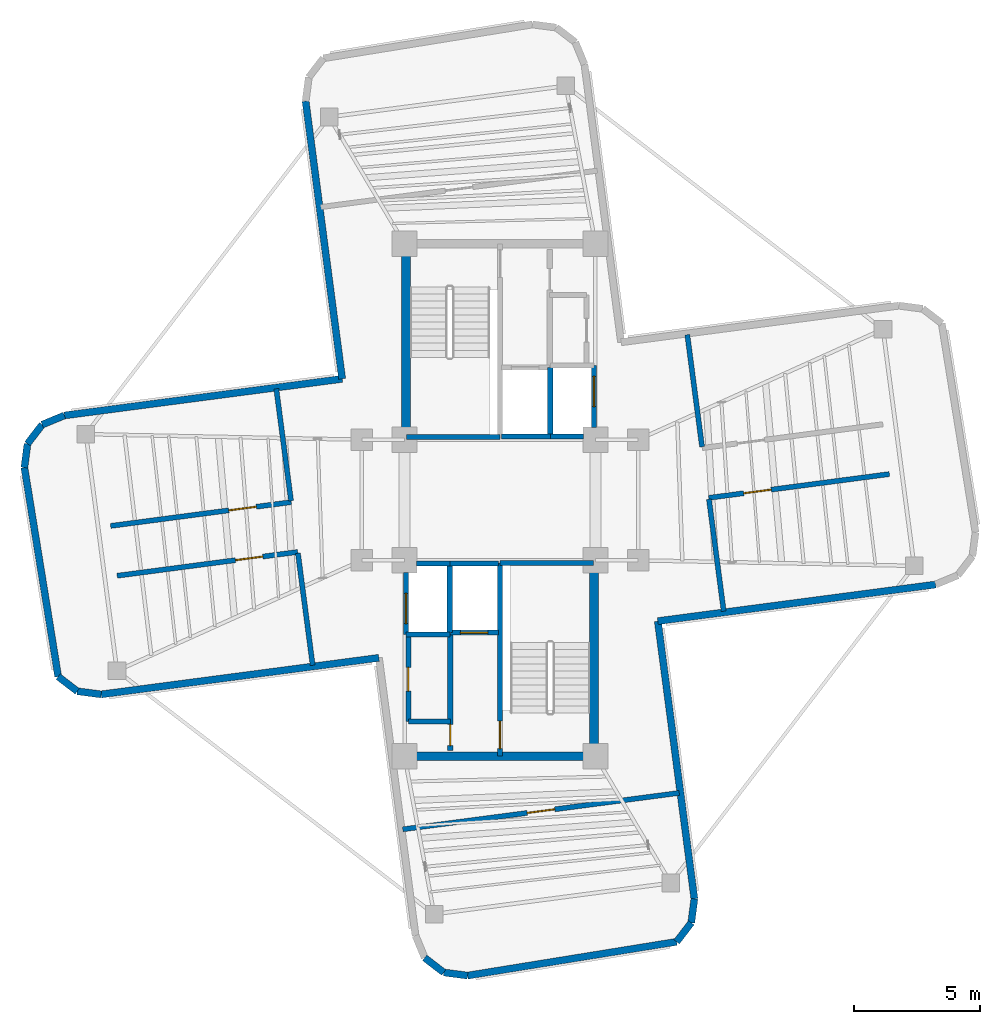
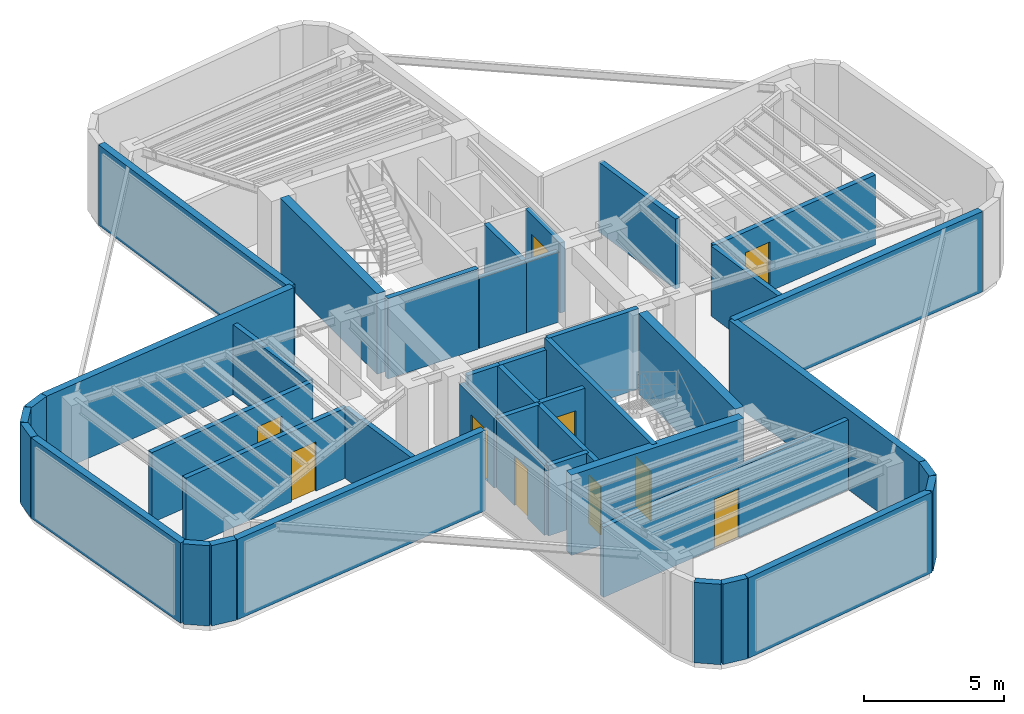
# One storey, part 4 of 6: 43 walls, 10 doors, 10 openings.
"""IFC4 building model written with IfcOpenShell, lengths in metres."""

import ifcopenshell
import ifcopenshell.guid

model = None  # the IFC model being written
_history = None  # IfcOwnerHistory: only IFC2X3 demands one
_inside = {}  # id of a spatial element -> (the spatial element, [elements in it])
_under = {}  # id of a project, library or spatial element -> (it, [spatial elements below it])
_declared = {}  # id of a project -> (the project, [libraries it declares])
_typed = {}  # id of a type object -> (the type object, [elements of that type])
_made_of = {}  # id of a material, layer set ... -> (it, [elements and type objects made of it])


def new_model(schema):
    """Start an empty IFC model of exactly this schema.

    Asked for "IFC4X3", IfcOpenShell would pick the latest addendum, in which some entities
    have other attributes; the version numbers below select the first issue.
    IFC2X3 requires an IfcOwnerHistory on every rooted entity: one is made here for all.
    """
    global model, _history
    if schema == "IFC4X3":
        model = ifcopenshell.file(schema_version=(4, 3, 0, 0))
    else:
        model = ifcopenshell.file(schema=schema)
    _inside.clear()
    _under.clear()
    _declared.clear()
    _typed.clear()
    _made_of.clear()
    _history = None
    if model.schema == "IFC2X3":
        org = make("IfcOrganization", Name="unknown")
        user = make(
            "IfcPersonAndOrganization",
            ThePerson=make("IfcPerson", FamilyName="unknown"),
            TheOrganization=org,
        )
        app = make(
            "IfcApplication",
            ApplicationDeveloper=org,
            Version="unknown",
            ApplicationFullName="unknown",
            ApplicationIdentifier="unknown",
        )
        _history = make(
            "IfcOwnerHistory",
            OwningUser=user,
            OwningApplication=app,
            ChangeAction="ADDED",
            CreationDate=0,
        )
    return model


def make(cls, **values):
    """One entity of the class cls with the attributes given. An attribute that is None is left unset."""
    return model.create_entity(
        cls, **{name: value for name, value in values.items() if value is not None}
    )


def rooted(cls, **values):
    """An entity with a GlobalId (a new one), such as an element, a storey or a relation."""
    return make(cls, GlobalId=ifcopenshell.guid.new(), OwnerHistory=_history, **values)


def si_unit(unit_type, name, prefix=None):
    """IfcSIUnit, for example si_unit("LENGTHUNIT", "METRE", prefix="MILLI")."""
    return make("IfcSIUnit", UnitType=unit_type, Prefix=prefix, Name=name)


def assignment(units):
    """IfcUnitAssignment: the units of a project."""
    return None if units is None else make("IfcUnitAssignment", Units=units)


def point(xyz):
    """IfcCartesianPoint."""
    return None if xyz is None else make("IfcCartesianPoint", Coordinates=xyz)


def direction(xyz):
    """IfcDirection."""
    return None if xyz is None else make("IfcDirection", DirectionRatios=xyz)


def frame(location, z_axis=None, x_axis=None):
    """IfcAxis2Placement3D, a coordinate frame: its origin and axes. An axis left out is left unset."""
    return make(
        "IfcAxis2Placement3D",
        Location=point(location),
        Axis=direction(z_axis),
        RefDirection=direction(x_axis),
    )


def frame_2d(location, x_axis=None):
    """IfcAxis2Placement2D, a coordinate frame in the plane: its origin and x axis."""
    return make(
        "IfcAxis2Placement2D", Location=point(location), RefDirection=direction(x_axis)
    )


def origin():
    """The frame at (0, 0, 0) with its axes left unset."""
    return frame((0.0, 0.0, 0.0))


def origin_2d():
    """The frame at (0, 0) in the plane with its x axis left unset."""
    return frame_2d((0.0, 0.0))


def place(relative_to, where):
    """IfcLocalPlacement: puts the frame where relative to a parent placement (None: the world)."""
    return make(
        "IfcLocalPlacement", PlacementRelTo=relative_to, RelativePlacement=where
    )


def context(
    kind, dimensions, precision=None, world=None, true_north=None, identifier=None
):
    """IfcGeometricRepresentationContext, for example the 3D "Model" context."""
    return make(
        "IfcGeometricRepresentationContext",
        ContextIdentifier=identifier,
        ContextType=kind,
        CoordinateSpaceDimension=dimensions,
        Precision=precision,
        WorldCoordinateSystem=world,
        TrueNorth=true_north,
    )


def subcontext(parent, identifier, kind, view, scale=None):
    """IfcGeometricRepresentationSubContext, for example "Body" below "Model"."""
    return make(
        "IfcGeometricRepresentationSubContext",
        ContextIdentifier=identifier,
        ContextType=kind,
        ParentContext=parent,
        TargetScale=scale,
        TargetView=view,
    )


def project(units=None, contexts=None):
    """IfcProject with its units and contexts."""
    return rooted(
        "IfcProject",
        Name="project",
        RepresentationContexts=contexts,
        UnitsInContext=assignment(units),
    )


def spatial(cls, under=None, at=None, **own):
    """A site, building, storey or space (cls), placed at a placement, below another one or the project."""
    s = rooted(cls, ObjectPlacement=at, **own)
    if under is not None:
        _under.setdefault(under.id(), (under, []))[1].append(s)
    return s


def profile(cls, at=None, kind="AREA", **sizes):
    """A parametric profile (cls). Its sizes go by their IFC names, for example OverallWidth=200.0."""
    return make(cls, ProfileType=kind, Position=at, **sizes)


def rectangle(**sizes):
    """IfcRectangleProfileDef."""
    return profile("IfcRectangleProfileDef", **sizes)


def extrude(swept, where, along, depth):
    """IfcExtrudedAreaSolid: the profile swept, set in the frame where, extruded along a direction by depth."""
    return make(
        "IfcExtrudedAreaSolid",
        SweptArea=swept,
        Position=where,
        ExtrudedDirection=direction(along),
        Depth=depth,
    )


def shape(context_of_items, identifier, shape_type, items):
    """IfcShapeRepresentation: the items that make up one representation, for example the "Body"."""
    return make(
        "IfcShapeRepresentation",
        ContextOfItems=context_of_items,
        RepresentationIdentifier=identifier,
        RepresentationType=shape_type,
        Items=items,
    )


def source(mapping_origin, context_of_items, identifier, shape_type, items):
    """IfcRepresentationMap: a shape defined once, which mapped items show again and again."""
    return make(
        "IfcRepresentationMap",
        MappingOrigin=mapping_origin,
        MappedRepresentation=shape(context_of_items, identifier, shape_type, items),
    )


def transform(
    local_origin,
    x_axis=None,
    y_axis=None,
    z_axis=None,
    scale=None,
    scale2=None,
    scale3=None,
    uniform=True,
):
    """IfcCartesianTransformationOperator3D, or its non-uniform kind. x_axis, y_axis, z_axis: its Axis1, 2, 3."""
    if uniform:
        return make(
            "IfcCartesianTransformationOperator3D",
            Axis1=direction(x_axis),
            Axis2=direction(y_axis),
            LocalOrigin=point(local_origin),
            Scale=scale,
            Axis3=direction(z_axis),
        )
    return make(
        "IfcCartesianTransformationOperator3DnonUniform",
        Axis1=direction(x_axis),
        Axis2=direction(y_axis),
        LocalOrigin=point(local_origin),
        Scale=scale,
        Axis3=direction(z_axis),
        Scale2=scale2,
        Scale3=scale3,
    )


def mapped(mapping_source, mapping_target):
    """IfcMappedItem: shows the shape of a source again, moved by a transform."""
    return make(
        "IfcMappedItem", MappingSource=mapping_source, MappingTarget=mapping_target
    )


def material(Name=None, Category=None):
    """IfcMaterial."""
    return make("IfcMaterial", Name=Name, Category=Category)


def layer(
    of_material, thickness, ventilated=None, Name=None, Category=None, Priority=None
):
    """IfcMaterialLayer: one layer of a wall or slab, of a material (None: an air gap)."""
    return make(
        "IfcMaterialLayer",
        Material=of_material,
        LayerThickness=thickness,
        IsVentilated=ventilated,
        Name=Name,
        Category=Category,
        Priority=Priority,
    )


def layer_set(layers, Name=None):
    """IfcMaterialLayerSet."""
    return make("IfcMaterialLayerSet", MaterialLayers=layers, LayerSetName=Name)


def made_of(thing, what):
    """Note that an element or type object is made of a material, layer set ...; save() writes the relation."""
    if what is not None:
        _made_of.setdefault(what.id(), (what, []))[1].append(thing)
    return thing


def type_object(cls, material=None, **own):
    """A type object (cls), such as IfcWallType, which elements share."""
    return made_of(rooted(cls, **own), material)


def element(
    cls,
    number,
    at=None,
    inside=None,
    cuts=None,
    type_object=None,
    material=None,
    context=None,
    identifier="Body",
    shape_type=None,
    held_by="IfcProductDefinitionShape",
    body=None,
    shapes=None,
    **own,
):
    """One element of the class cls, such as IfcWall. Its Tag is "e" and its number.

    at: its placement. inside: the storey or other place that contains it. cuts: it is an
    opening in that element (IfcRelVoidsElement). A single representation is given by context,
    identifier, shape_type and body (its items); several are given by shapes. held_by: the class
    of the entity that holds the representations. save() writes the other relations.
    """
    e = rooted(cls, Tag="e%d" % number, ObjectPlacement=at, **own)
    if body is not None:
        shapes = [shape(context, identifier, shape_type, body)]
    if shapes is not None:
        e.Representation = make(held_by, Representations=shapes)
    if inside is not None:
        _inside.setdefault(inside.id(), (inside, []))[1].append(e)
    if cuts is not None:
        rooted(
            "IfcRelVoidsElement", RelatingBuildingElement=cuts, RelatedOpeningElement=e
        )
    if type_object is not None:
        _typed.setdefault(type_object.id(), (type_object, []))[1].append(e)
    return made_of(e, material)


def fill(opening, filler):
    """IfcRelFillsElement: the door or window that sits in an opening."""
    return rooted(
        "IfcRelFillsElement",
        RelatingOpeningElement=opening,
        RelatedBuildingElement=filler,
    )


def aggregate(whole, parts):
    """IfcRelAggregates: a whole, such as a stair, and the parts it consists of."""
    return rooted("IfcRelAggregates", RelatingObject=whole, RelatedObjects=parts)


def save(model, path):
    """Write the relations noted so far, then the file.

    IfcRelAggregates (storeys below a building ...), IfcRelContainedInSpatialStructure (elements
    in a storey), IfcRelDefinesByType, IfcRelAssociatesMaterial and IfcRelDeclares: one each for
    every whole, place, type object, material and project.
    """
    for whole, parts in _under.values():
        aggregate(whole, parts)
    for where, things in _inside.values():
        rooted(
            "IfcRelContainedInSpatialStructure",
            RelatedElements=things,
            RelatingStructure=where,
        )
    for kind, things in _typed.values():
        rooted("IfcRelDefinesByType", RelatedObjects=things, RelatingType=kind)
    for what, things in _made_of.values():
        rooted("IfcRelAssociatesMaterial", RelatedObjects=things, RelatingMaterial=what)
    for by, libraries in _declared.values():
        rooted("IfcRelDeclares", RelatingContext=by, RelatedDefinitions=libraries)
    model.write(path)


model = new_model("IFC4")

# Units and contexts
model_context = context("Model", 3, precision=1e-05, world=origin(), true_north=direction((0.0, 1.0)))
body_context = subcontext(model_context, "Body", "Model", "MODEL_VIEW")
ifc_project = project(units=[si_unit("LENGTHUNIT", "METRE"), si_unit("AREAUNIT", "SQUARE_METRE"), si_unit("VOLUMEUNIT", "CUBIC_METRE"), si_unit("PLANEANGLEUNIT", "RADIAN"), si_unit("MASSUNIT", "GRAM", prefix="KILO")], contexts=[model_context])

# Site, building, storey
site_placement = place(None, origin())
site = spatial("IfcSite", under=ifc_project, at=site_placement, CompositionType="ELEMENT")
building_placement = place(site_placement, origin())
building = spatial("IfcBuilding", under=site, at=building_placement, Name="Sahyath Konkavel Grand Hotel", CompositionType="ELEMENT")
storey_placement = place(building_placement, frame((0.0, 0.0, 292.699951171875)))
storey = spatial("IfcBuildingStorey", under=building, at=storey_placement, Name="L81", CompositionType="ELEMENT", Elevation=292.699951171875)

# Walls
ifc_material_1 = material(Name="Concrete C40/50", Category="concrete")
ifc_layer_1 = layer(ifc_material_1, 0.35009765625)
ifc_layer_set_1 = layer_set([ifc_layer_1], Name="Concrete C40/50")
wall_type_1 = type_object("IfcWallType", Name="CWALL-350", PredefinedType="SHEAR", material=ifc_layer_set_1)
wall_1_placement = place(storey_placement, frame((-3.739990234375, 2.85009765625, 0.0), z_axis=(0.0, 0.0, 1.0), x_axis=(0.0, 1.0, 0.0)))
element("IfcWall", 1, at=wall_1_placement, inside=storey, type_object=wall_type_1, Name="L81 North Core Shear Wall W", PredefinedType="SHEAR", context=body_context, shape_type="SweptSolid", body=[
    extrude(rectangle(XDim=6.89990234375, YDim=0.35009765625, at=frame_2d((3.449951171875, 0.0))), origin(), (0.0, 0.0, 1.0), 3.5),
])
wall_2_placement = place(storey_placement, frame((-3.550048828125, -10.199951171875, 0.0), z_axis=(0.0, 0.0, 1.0), x_axis=(1.0, 0.0, 0.0)))
element("IfcWall", 2, at=wall_2_placement, inside=storey, type_object=wall_type_1, Name="L81 South Core Shear Wall S", PredefinedType="SHEAR", context=body_context, shape_type="SweptSolid", body=[
    extrude(rectangle(XDim=7.10009765625, YDim=0.35009765625, at=frame_2d((3.550048828125, 0.0))), origin(), (0.0, 0.0, 1.0), 3.5),
])
wall_3_placement = place(storey_placement, frame((3.739990234375, -9.75, 0.0), z_axis=(0.0, 0.0, 1.0), x_axis=(0.0, 1.0, 0.0)))
element("IfcWall", 3, at=wall_3_placement, inside=storey, type_object=wall_type_1, Name="L81 South Core Shear Wall E", PredefinedType="SHEAR", context=body_context, shape_type="SweptSolid", body=[
    extrude(rectangle(XDim=6.89990234375, YDim=0.35009765625, at=frame_2d((3.449951171875, 0.0))), origin(), (0.0, 0.0, 1.0), 3.5),
])
ifc_layer_2 = layer(ifc_material_1, 0.199951171875)
ifc_layer_set_2 = layer_set([ifc_layer_2], Name="Concrete C40/50")
wall_type_2 = type_object("IfcWallType", Name="WLL-CORE-200", PredefinedType="SOLIDWALL", material=ifc_layer_set_2)
wall_4_placement = place(storey_placement, frame((-3.719970703125, 2.5, 0.0), z_axis=(0.0, 0.0, 1.0), x_axis=(1.0, 0.0, 0.0)))
element("IfcWall", 4, at=wall_4_placement, inside=storey, type_object=wall_type_2, Name="L81 Stair ST-1 Shaft Wall S", PredefinedType="SOLIDWALL", context=body_context, shape_type="SweptSolid", body=[
    extrude(rectangle(XDim=3.719970703125, YDim=0.199951171875, at=frame_2d((1.85986328125, 0.0))), origin(), (0.0, 0.0, 1.0), 3.5),
])

# Wall, opening, door
wall_5_placement = place(storey_placement, frame((0.0, -10.179931640625, 0.0), z_axis=(0.0, 0.0, 1.0), x_axis=(0.0, 1.0, 0.0)))
wall_5 = element("IfcWall", 5, at=wall_5_placement, inside=storey, type_object=wall_type_2, Name="L81 Stair ST-2 Shaft Wall W", PredefinedType="SOLIDWALL", context=body_context, shape_type="SweptSolid", body=[
    extrude(rectangle(XDim=7.679931640625, YDim=0.199951171875, at=frame_2d((3.83984375, 0.0))), origin(), (0.0, 0.0, 1.0), 3.5),
])
opening_1_placement = place(wall_5_placement, frame((0.280029296875, 0.0, 0.0)))
opening_1 = element("IfcOpeningElement", 6, at=opening_1_placement, cuts=wall_5, Name="Opening D-F12B", PredefinedType="OPENING", context=body_context, shape_type="SweptSolid", body=[
    extrude(rectangle(XDim=1.10009765625, YDim=2.14990234375, at=frame_2d((0.550048828125, 1.074951171875))), frame((0.0, 0.10986328125, 0.0), z_axis=(0.0, -1.0, 0.0), x_axis=(1.0, 0.0, 0.0)), (0.0, 0.0, 1.0), 0.219970703125),
])
ifc_material_2 = material(Name="Steel E350 Smokeproof Fire Door", Category="steel")
door_type_1 = type_object("IfcDoorType", Name="DR-FD120-1100", OperationType="NOTDEFINED", PredefinedType="DOOR", material=ifc_material_2)
shared_shape_1 = source(origin(), body_context, "Body", "SweptSolid", [
    extrude(rectangle(XDim=1.10009765625, YDim=0.050048828125, at=origin_2d()), origin(), (0.0, 0.0, 1.0), 2.14990234375),
])
door_1_placement = place(opening_1_placement, frame((0.550048828125, 0.0, 0.0)))
door_1 = element("IfcDoor", 7, at=door_1_placement, inside=storey, type_object=door_type_1, Name="L81 Stair ST-2 Fire Door", OperationType="SINGLE_SWING_RIGHT", OverallHeight=2.14990234375, OverallWidth=1.10009765625, PredefinedType="DOOR", context=body_context, shape_type="MappedRepresentation", body=[
    mapped(shared_shape_1, transform((0.0, 0.0, 0.0), scale=1.0)),
])
fill(opening_1, door_1)

# Wall
wall_6_placement = place(storey_placement, frame((0.0, -2.5, 0.0), z_axis=(0.0, 0.0, 1.0), x_axis=(1.0, 0.0, 0.0)))
element("IfcWall", 8, at=wall_6_placement, inside=storey, type_object=wall_type_2, Name="L81 Stair ST-2 Shaft Wall N", PredefinedType="SOLIDWALL", context=body_context, shape_type="SweptSolid", body=[
    extrude(rectangle(XDim=3.719970703125, YDim=0.199951171875, at=frame_2d((1.85986328125, 0.0))), origin(), (0.0, 0.0, 1.0), 3.5),
])

# Wall, opening, door
wall_7_placement = place(storey_placement, frame((-1.97998046875, -9.97998046875, 0.0), z_axis=(0.0, 0.0, 1.0), x_axis=(0.0, 1.0, 0.0)))
wall_7 = element("IfcWall", 9, at=wall_7_placement, inside=storey, type_object=wall_type_2, Name="L81 South Firefighting Lobby Wall W", PredefinedType="SOLIDWALL", context=body_context, shape_type="SweptSolid", body=[
    extrude(rectangle(XDim=4.659912109375, YDim=0.199951171875, at=frame_2d((2.330078125, 0.0))), origin(), (0.0, 0.0, 1.0), 3.050048828125),
])
opening_2_placement = place(wall_7_placement, frame((0.199951171875, 0.0, 0.0)))
opening_2 = element("IfcOpeningElement", 10, at=opening_2_placement, cuts=wall_7, Name="Opening D-F12D", PredefinedType="OPENING", context=body_context, shape_type="SweptSolid", body=[
    extrude(rectangle(XDim=0.85009765625, YDim=2.10009765625, at=frame_2d((0.425048828125, 1.050048828125))), frame((0.0, 0.10986328125, 0.0), z_axis=(0.0, -1.0, 0.0), x_axis=(1.0, 0.0, 0.0)), (0.0, 0.0, 1.0), 0.219970703125),
])
ifc_material_3 = material(Name="Steel E350 Core Fire Door", Category="steel")
door_type_2 = type_object("IfcDoorType", Name="DR-FD120-850", OperationType="NOTDEFINED", PredefinedType="DOOR", material=ifc_material_3)
shared_shape_2 = source(origin(), body_context, "Body", "SweptSolid", [
    extrude(rectangle(XDim=0.85009765625, YDim=0.050048828125, at=origin_2d()), origin(), (0.0, 0.0, 1.0), 2.10009765625),
])
door_2_placement = place(opening_2_placement, frame((0.425048828125, 0.0, 0.0)))
door_2 = element("IfcDoor", 11, at=door_2_placement, inside=storey, type_object=door_type_2, Name="L81 South Firefighting Lobby Door", OperationType="SINGLE_SWING_RIGHT", OverallHeight=2.10009765625, OverallWidth=0.85009765625, PredefinedType="DOOR", context=body_context, shape_type="MappedRepresentation", body=[
    mapped(shared_shape_2, transform((0.0, 0.0, 0.0), scale=1.0)),
])
fill(opening_2, door_2)

# Walls
wall_8_placement = place(storey_placement, frame((2.0, 2.5, 0.0), z_axis=(0.0, 0.0, 1.0), x_axis=(0.0, 1.0, 0.0)))
element("IfcWall", 12, at=wall_8_placement, inside=storey, type_object=wall_type_2, Name="L81 Partition SH-FFL1-E", PredefinedType="SOLIDWALL", context=body_context, shape_type="SweptSolid", body=[
    extrude(rectangle(XDim=2.780029296875, YDim=0.199951171875, at=frame_2d((1.39013671875, 0.0))), origin(), (0.0, 0.0, 1.0), 3.050048828125),
])
wall_9_placement = place(storey_placement, frame((0.050048828125, 2.52001953125, 0.0), z_axis=(0.0, 0.0, 1.0), x_axis=(1.0, 0.0, 0.0)))
element("IfcWall", 13, at=wall_9_placement, inside=storey, type_object=wall_type_2, Name="L81 Partition SH-FFL1-S", PredefinedType="SOLIDWALL", context=body_context, shape_type="SweptSolid", body=[
    extrude(rectangle(XDim=1.949951171875, YDim=0.199951171875, at=frame_2d((0.97509765625, 0.0))), origin(), (0.0, 0.0, 1.0), 3.050048828125),
])
wall_10_placement = place(storey_placement, frame((-2.0, -5.280029296875, 0.0), z_axis=(0.0, 0.0, 1.0), x_axis=(0.0, 1.0, 0.0)))
element("IfcWall", 14, at=wall_10_placement, inside=storey, type_object=wall_type_2, Name="L81 Partition SH-FFL2-W", PredefinedType="SOLIDWALL", context=body_context, shape_type="SweptSolid", body=[
    extrude(rectangle(XDim=2.780029296875, YDim=0.199951171875, at=frame_2d((1.39013671875, 0.0))), origin(), (0.0, 0.0, 1.0), 3.050048828125),
])
wall_11_placement = place(storey_placement, frame((-2.0, -2.52001953125, 0.0), z_axis=(0.0, 0.0, 1.0), x_axis=(1.0, 0.0, 0.0)))
element("IfcWall", 15, at=wall_11_placement, inside=storey, type_object=wall_type_2, Name="L81 Partition SH-FFL2-N", PredefinedType="SOLIDWALL", context=body_context, shape_type="SweptSolid", body=[
    extrude(rectangle(XDim=1.949951171875, YDim=0.199951171875, at=frame_2d((0.97509765625, 0.0))), origin(), (0.0, 0.0, 1.0), 3.050048828125),
])

# Wall, opening, door
wall_12_placement = place(storey_placement, frame((-1.97998046875, -5.280029296875, 0.0), z_axis=(0.0, 0.0, 1.0), x_axis=(1.0, 0.0, 0.0)))
wall_12 = element("IfcWall", 16, at=wall_12_placement, inside=storey, type_object=wall_type_2, Name="L81 Partition SH-FFL2-S", PredefinedType="SOLIDWALL", context=body_context, shape_type="SweptSolid", body=[
    extrude(rectangle(XDim=1.929931640625, YDim=0.199951171875, at=frame_2d((0.96484375, 0.0))), origin(), (0.0, 0.0, 1.0), 3.050048828125),
])
opening_3_placement = place(wall_12_placement, frame((0.39990234375, 0.0, 0.0)))
opening_3 = element("IfcOpeningElement", 17, at=opening_3_placement, cuts=wall_12, Name="Opening LD-11", PredefinedType="OPENING", context=body_context, shape_type="SweptSolid", body=[
    extrude(rectangle(XDim=1.10009765625, YDim=2.199951171875, at=frame_2d((0.550048828125, 1.10009765625))), frame((0.0, 0.10986328125, 0.0), z_axis=(0.0, -1.0, 0.0), x_axis=(1.0, 0.0, 0.0)), (0.0, 0.0, 1.0), 0.219970703125),
])
ifc_material_4 = material(Name="Bronze Lift Landing Door 1100")
door_type_3 = type_object("IfcDoorType", Name="DR-LIFT-1100", OperationType="DOUBLE_DOOR_SLIDING", PredefinedType="DOOR", material=ifc_material_4)
shared_shape_3 = source(origin(), body_context, "Body", "SweptSolid", [
    extrude(rectangle(XDim=1.10009765625, YDim=0.050048828125, at=origin_2d()), origin(), (0.0, 0.0, 1.0), 2.199951171875),
])
door_3_placement = place(opening_3_placement, frame((0.550048828125, 0.0, 0.0)))
door_3 = element("IfcDoor", 18, at=door_3_placement, inside=storey, type_object=door_type_3, Name="L81 Lift FFL-2 Landing Door", OperationType="DOUBLE_DOOR_SLIDING", OverallHeight=2.199951171875, OverallWidth=1.10009765625, PredefinedType="DOOR", context=body_context, shape_type="MappedRepresentation", body=[
    mapped(shared_shape_3, transform((0.0, 0.0, 0.0), scale=1.0)),
])
fill(opening_3, door_3)

# Wall
wall_13_placement = place(storey_placement, frame((2.0, 2.52001953125, 0.0), z_axis=(0.0, 0.0, 1.0), x_axis=(1.0, 0.0, 0.0)))
element("IfcWall", 19, at=wall_13_placement, inside=storey, type_object=wall_type_2, Name="L81 Partition SH-SVL1-S", PredefinedType="SOLIDWALL", context=body_context, shape_type="SweptSolid", body=[
    extrude(rectangle(XDim=1.320068359375, YDim=0.199951171875, at=frame_2d((0.66015625, 0.0))), origin(), (0.0, 0.0, 1.0), 3.050048828125),
])

# Wall, opening, door
wall_14_placement = place(storey_placement, frame((3.739990234375, 2.8798828125, 0.0), z_axis=(0.0, 0.0, 1.0), x_axis=(0.0, 1.0, 0.0)))
wall_14 = element("IfcWall", 20, at=wall_14_placement, inside=storey, type_object=wall_type_2, Name="L81 Partition SH-SVL1-E", PredefinedType="SOLIDWALL", context=body_context, shape_type="SweptSolid", body=[
    extrude(rectangle(XDim=2.480224609375, YDim=0.199951171875, at=frame_2d((1.240234375, 0.0))), origin(), (0.0, 0.0, 1.0), 3.050048828125),
])
opening_4_placement = place(wall_14_placement, frame((0.840087890625, 0.0, 0.0)))
opening_4 = element("IfcOpeningElement", 21, at=opening_4_placement, cuts=wall_14, Name="Opening LD-12", PredefinedType="OPENING", context=body_context, shape_type="SweptSolid", body=[
    extrude(rectangle(XDim=1.199951171875, YDim=2.199951171875, at=frame_2d((0.60009765625, 1.10009765625))), frame((0.0, 0.10986328125, 0.0), z_axis=(0.0, -1.0, 0.0), x_axis=(1.0, 0.0, 0.0)), (0.0, 0.0, 1.0), 0.219970703125),
])
ifc_material_5 = material(Name="Stainless Steel Lift Landing Door 1200", Category="steel")
door_type_4 = type_object("IfcDoorType", Name="DR-LIFT-1200", OperationType="DOUBLE_DOOR_SLIDING", PredefinedType="DOOR", material=ifc_material_5)
shared_shape_4 = source(origin(), body_context, "Body", "SweptSolid", [
    extrude(rectangle(XDim=1.199951171875, YDim=0.050048828125, at=origin_2d()), origin(), (0.0, 0.0, 1.0), 2.199951171875),
])
door_4_placement = place(opening_4_placement, frame((0.60009765625, 0.0, 0.0)))
door_4 = element("IfcDoor", 22, at=door_4_placement, inside=storey, type_object=door_type_4, Name="L81 Service Lift SVL-1 Landing Door", OperationType="DOUBLE_DOOR_SLIDING", OverallHeight=2.199951171875, OverallWidth=1.199951171875, PredefinedType="DOOR", context=body_context, shape_type="MappedRepresentation", body=[
    mapped(shared_shape_4, transform((0.0, 0.0, 0.0), scale=1.0)),
])
fill(opening_4, door_4)

# Walls
wall_15_placement = place(storey_placement, frame((-3.320068359375, -2.52001953125, 0.0), z_axis=(0.0, 0.0, 1.0), x_axis=(1.0, 0.0, 0.0)))
element("IfcWall", 23, at=wall_15_placement, inside=storey, type_object=wall_type_2, Name="L81 Partition SH-SVL2-N", PredefinedType="SOLIDWALL", context=body_context, shape_type="SweptSolid", body=[
    extrude(rectangle(XDim=1.320068359375, YDim=0.199951171875, at=frame_2d((0.66015625, 0.0))), origin(), (0.0, 0.0, 1.0), 3.050048828125),
])
wall_16_placement = place(storey_placement, frame((-3.739990234375, -5.360107421875, 0.0), z_axis=(0.0, 0.0, 1.0), x_axis=(1.0, 0.0, 0.0)))
element("IfcWall", 24, at=wall_16_placement, inside=storey, type_object=wall_type_2, Name="L81 Partition SH-SVL2-S", PredefinedType="SOLIDWALL", context=body_context, shape_type="SweptSolid", body=[
    extrude(rectangle(XDim=1.739990234375, YDim=0.199951171875, at=frame_2d((0.8701171875, 0.0))), origin(), (0.0, 0.0, 1.0), 3.050048828125),
])

# Wall, opening, door
wall_17_placement = place(storey_placement, frame((-3.739990234375, -5.360107421875, 0.0), z_axis=(0.0, 0.0, 1.0), x_axis=(0.0, 1.0, 0.0)))
wall_17 = element("IfcWall", 25, at=wall_17_placement, inside=storey, type_object=wall_type_2, Name="L81 Partition SH-SVL2-W", PredefinedType="SOLIDWALL", context=body_context, shape_type="SweptSolid", body=[
    extrude(rectangle(XDim=2.480224609375, YDim=0.199951171875, at=frame_2d((1.240234375, 0.0))), origin(), (0.0, 0.0, 1.0), 3.050048828125),
])
opening_5_placement = place(wall_17_placement, frame((0.43994140625, 0.0, 0.0)))
opening_5 = element("IfcOpeningElement", 26, at=opening_5_placement, cuts=wall_17, Name="Opening LD-12", PredefinedType="OPENING", context=body_context, shape_type="SweptSolid", body=[
    extrude(rectangle(XDim=1.199951171875, YDim=2.199951171875, at=frame_2d((0.60009765625, 1.10009765625))), frame((0.0, 0.10986328125, 0.0), z_axis=(0.0, -1.0, 0.0), x_axis=(1.0, 0.0, 0.0)), (0.0, 0.0, 1.0), 0.219970703125),
])
door_5_placement = place(opening_5_placement, frame((0.60009765625, 0.0, 0.0)))
door_5 = element("IfcDoor", 27, at=door_5_placement, inside=storey, type_object=door_type_4, Name="L81 Service Lift SVL-2 Landing Door", OperationType="DOUBLE_DOOR_SLIDING", OverallHeight=2.199951171875, OverallWidth=1.199951171875, PredefinedType="DOOR", context=body_context, shape_type="MappedRepresentation", body=[
    mapped(shared_shape_4, transform((0.0, 0.0, 0.0), scale=1.0)),
])
fill(opening_5, door_5)

wall_18_placement = place(storey_placement, frame((-3.64990234375, -8.81005859375, 0.0), z_axis=(0.0, 0.0, 1.0), x_axis=(0.0, 1.0, 0.0)))
wall_18 = element("IfcWall", 28, at=wall_18_placement, inside=storey, type_object=wall_type_2, Name="L81 Reclaimed South Core Wall W", PredefinedType="SOLIDWALL", context=body_context, shape_type="SweptSolid", body=[
    extrude(rectangle(XDim=3.43017578125, YDim=0.199951171875, at=frame_2d((1.715087890625, 0.0))), origin(), (0.0, 0.0, 1.0), 3.050048828125),
])
opening_6_placement = place(wall_18_placement, frame((1.199951171875, 0.0, 0.0)))
opening_6 = element("IfcOpeningElement", 29, at=opening_6_placement, cuts=wall_18, Name="Opening D-AC95", PredefinedType="OPENING", context=body_context, shape_type="SweptSolid", body=[
    extrude(rectangle(XDim=0.949951171875, YDim=2.14990234375, at=frame_2d((0.47509765625, 1.074951171875))), frame((0.0, 0.10986328125, 0.0), z_axis=(0.0, -1.0, 0.0), x_axis=(1.0, 0.0, 0.0)), (0.0, 0.0, 1.0), 0.219970703125),
])
ifc_material_6 = material(Name="Accessible Washroom Timber Door", Category="wood")
door_type_5 = type_object("IfcDoorType", Name="DR-ACC-950", OperationType="NOTDEFINED", PredefinedType="DOOR", material=ifc_material_6)
shared_shape_5 = source(origin(), body_context, "Body", "SweptSolid", [
    extrude(rectangle(XDim=0.949951171875, YDim=0.050048828125, at=origin_2d()), origin(), (0.0, 0.0, 1.0), 2.14990234375),
])
door_6_placement = place(opening_6_placement, frame((0.47509765625, 0.0, 0.0)))
door_6 = element("IfcDoor", 30, at=door_6_placement, inside=storey, type_object=door_type_5, Name="L81 Door SC-REC1-D", OperationType="SINGLE_SWING_RIGHT", OverallHeight=2.14990234375, OverallWidth=0.949951171875, PredefinedType="DOOR", context=body_context, shape_type="MappedRepresentation", body=[
    mapped(shared_shape_5, transform((0.0, 0.0, 0.0), scale=1.0)),
])
fill(opening_6, door_6)

# Walls
wall_19_placement = place(storey_placement, frame((-3.64990234375, -8.81005859375, 0.0), z_axis=(0.0, 0.0, 1.0), x_axis=(1.0, 0.0, 0.0)))
element("IfcWall", 31, at=wall_19_placement, inside=storey, type_object=wall_type_2, Name="L81 Partition SC-REC-S", PredefinedType="SOLIDWALL", context=body_context, shape_type="SweptSolid", body=[
    extrude(rectangle(XDim=1.669921875, YDim=0.199951171875, at=frame_2d((0.8349609375, 0.0))), origin(), (0.0, 0.0, 1.0), 3.050048828125),
])
wall_20_placement = place(storey_placement, frame((8.04248046875, 2.117919921875, 0.0), z_axis=(0.0, 0.0, 1.0), x_axis=(-0.130535912089, 0.99144358168, 0.0)))
element("IfcWall", 32, at=wall_20_placement, inside=storey, type_object=wall_type_2, Name="L81 Partition CP-E1-IN", PredefinedType="SOLIDWALL", context=body_context, shape_type="SweptSolid", body=[
    extrude(rectangle(XDim=4.5, YDim=0.199951171875, at=frame_2d((2.25, 0.0))), origin(), (0.0, 0.0, 1.0), 3.050048828125),
])

# Wall, opening, door
wall_21_placement = place(storey_placement, frame((8.309814453125, 0.08544921875, 0.0), z_axis=(0.0, 0.0, 1.0), x_axis=(0.991445353075, 0.130522457324, 0.0)))
wall_21 = element("IfcWall", 33, at=wall_21_placement, inside=storey, type_object=wall_type_2, Name="L81 Partition CP-E2-W", PredefinedType="SOLIDWALL", context=body_context, shape_type="SweptSolid", body=[
    extrude(rectangle(XDim=7.25, YDim=0.199951171875, at=frame_2d((3.625, 0.0))), origin(), (0.0, 0.0, 1.0), 3.050048828125),
])
opening_7_placement = place(wall_21_placement, frame((1.39990234375, 0.0, 0.0)))
opening_7 = element("IfcOpeningElement", 34, at=opening_7_placement, cuts=wall_21, Name="Opening D-F12B", PredefinedType="OPENING", context=body_context, shape_type="SweptSolid", body=[
    extrude(rectangle(XDim=1.10009765625, YDim=2.14990234375, at=frame_2d((0.550048828125, 1.074951171875))), frame((0.0, 0.10986328125, 0.0), z_axis=(0.0, -1.0, 0.0), x_axis=(1.0, 0.0, 0.0)), (0.0, 0.0, 1.0), 0.219970703125),
])
door_7_placement = place(opening_7_placement, frame((0.550048828125, 0.0, 0.0)))
door_7 = element("IfcDoor", 35, at=door_7_placement, inside=storey, type_object=door_type_1, Name="L81 Door CP-E2-D", OperationType="SINGLE_SWING_RIGHT", OverallHeight=2.14990234375, OverallWidth=1.10009765625, PredefinedType="DOOR", context=body_context, shape_type="MappedRepresentation", body=[
    mapped(shared_shape_1, transform((0.0, 0.0, 0.0), scale=1.0)),
])
fill(opening_7, door_7)

# Wall
wall_22_placement = place(storey_placement, frame((8.90380859375, -4.42578125, 0.0), z_axis=(0.0, 0.0, 1.0), x_axis=(-0.130528890923, 0.991444506079, 0.0)))
element("IfcWall", 36, at=wall_22_placement, inside=storey, type_object=wall_type_2, Name="L81 Partition CP-E2-IN", PredefinedType="SOLIDWALL", context=body_context, shape_type="SweptSolid", body=[
    extrude(rectangle(XDim=4.500244140625, YDim=0.199951171875, at=frame_2d((2.25, 0.0))), origin(), (0.0, 0.0, 1.0), 3.050048828125),
])

# Wall, opening, door
wall_23_placement = place(storey_placement, frame((-8.048828125, -2.068359375, 0.0), z_axis=(0.0, 0.0, 1.0), x_axis=(-0.991445353075, -0.130522457324, 0.0)))
wall_23 = element("IfcWall", 37, at=wall_23_placement, inside=storey, type_object=wall_type_2, Name="L81 Partition CP-W1-W", PredefinedType="SOLIDWALL", context=body_context, shape_type="SweptSolid", body=[
    extrude(rectangle(XDim=7.25, YDim=0.199951171875, at=frame_2d((3.625, 0.0))), origin(), (0.0, 0.0, 1.0), 3.050048828125),
])
opening_8_placement = place(wall_23_placement, frame((1.39990234375, 0.0, 0.0)))
opening_8 = element("IfcOpeningElement", 38, at=opening_8_placement, cuts=wall_23, Name="Opening D-F12B", PredefinedType="OPENING", context=body_context, shape_type="SweptSolid", body=[
    extrude(rectangle(XDim=1.10009765625, YDim=2.14990234375, at=frame_2d((0.550048828125, 1.074951171875))), frame((0.0, 0.10986328125, 0.0), z_axis=(0.0, -1.0, 0.0), x_axis=(1.0, 0.0, 0.0)), (0.0, 0.0, 1.0), 0.219970703125),
])
door_8_placement = place(opening_8_placement, frame((0.550048828125, 0.0, 0.0)))
door_8 = element("IfcDoor", 39, at=door_8_placement, inside=storey, type_object=door_type_1, Name="L81 Door CP-W1-D", OperationType="SINGLE_SWING_LEFT", OverallHeight=2.14990234375, OverallWidth=1.10009765625, PredefinedType="DOOR", context=body_context, shape_type="MappedRepresentation", body=[
    mapped(shared_shape_1, transform((0.0, 0.0, 0.0), scale=1.0)),
])
fill(opening_8, door_8)

# Wall
wall_24_placement = place(storey_placement, frame((-8.04248046875, -2.117919921875, 0.0), z_axis=(0.0, 0.0, 1.0), x_axis=(0.130535912089, -0.99144358168, 0.0)))
element("IfcWall", 40, at=wall_24_placement, inside=storey, type_object=wall_type_2, Name="L81 Partition CP-W1-IN", PredefinedType="SOLIDWALL", context=body_context, shape_type="SweptSolid", body=[
    extrude(rectangle(XDim=4.5, YDim=0.199951171875, at=frame_2d((2.25, 0.0))), origin(), (0.0, 0.0, 1.0), 3.050048828125),
])

# Wall, opening, door
wall_25_placement = place(storey_placement, frame((-8.309814453125, -0.08544921875, 0.0), z_axis=(0.0, 0.0, 1.0), x_axis=(-0.991445353075, -0.130522457324, 0.0)))
wall_25 = element("IfcWall", 41, at=wall_25_placement, inside=storey, type_object=wall_type_2, Name="L81 Partition CP-W2-W", PredefinedType="SOLIDWALL", context=body_context, shape_type="SweptSolid", body=[
    extrude(rectangle(XDim=7.25, YDim=0.199951171875, at=frame_2d((3.625, 0.0))), origin(), (0.0, 0.0, 1.0), 3.050048828125),
])
opening_9_placement = place(wall_25_placement, frame((1.39990234375, 0.0, 0.0)))
opening_9 = element("IfcOpeningElement", 42, at=opening_9_placement, cuts=wall_25, Name="Opening D-F12B", PredefinedType="OPENING", context=body_context, shape_type="SweptSolid", body=[
    extrude(rectangle(XDim=1.10009765625, YDim=2.14990234375, at=frame_2d((0.550048828125, 1.074951171875))), frame((0.0, 0.10986328125, 0.0), z_axis=(0.0, -1.0, 0.0), x_axis=(1.0, 0.0, 0.0)), (0.0, 0.0, 1.0), 0.219970703125),
])
door_9_placement = place(opening_9_placement, frame((0.550048828125, 0.0, 0.0)))
door_9 = element("IfcDoor", 43, at=door_9_placement, inside=storey, type_object=door_type_1, Name="L81 Door CP-W2-D", OperationType="SINGLE_SWING_RIGHT", OverallHeight=2.14990234375, OverallWidth=1.10009765625, PredefinedType="DOOR", context=body_context, shape_type="MappedRepresentation", body=[
    mapped(shared_shape_1, transform((0.0, 0.0, 0.0), scale=1.0)),
])
fill(opening_9, door_9)

# Wall
wall_26_placement = place(storey_placement, frame((-8.90380859375, 4.42578125, 0.0), z_axis=(0.0, 0.0, 1.0), x_axis=(0.130528890923, -0.991444506079, 0.0)))
element("IfcWall", 44, at=wall_26_placement, inside=storey, type_object=wall_type_2, Name="L81 Partition CP-W2-IN", PredefinedType="SOLIDWALL", context=body_context, shape_type="SweptSolid", body=[
    extrude(rectangle(XDim=4.500244140625, YDim=0.199951171875, at=frame_2d((2.25, 0.0))), origin(), (0.0, 0.0, 1.0), 3.050048828125),
])

# Wall, opening, door
wall_27_placement = place(storey_placement, frame((-3.872314453125, -13.107666015625, 0.0), z_axis=(0.0, 0.0, 1.0), x_axis=(0.991443437127, 0.130537009991, 0.0)))
wall_27 = element("IfcWall", 45, at=wall_27_placement, inside=storey, type_object=wall_type_2, Name="L81 Partition CP-BLR-IN", PredefinedType="SOLIDWALL", context=body_context, shape_type="SweptSolid", body=[
    extrude(rectangle(XDim=11.10009765625, YDim=0.199951171875, at=frame_2d((5.550048828125, 0.0))), origin(), (0.0, 0.0, 1.0), 3.050048828125),
])
opening_10_placement = place(wall_27_placement, frame((5.0, 0.0, 0.0)))
opening_10 = element("IfcOpeningElement", 46, at=opening_10_placement, cuts=wall_27, Name="Opening D-F12B", PredefinedType="OPENING", context=body_context, shape_type="SweptSolid", body=[
    extrude(rectangle(XDim=1.10009765625, YDim=2.14990234375, at=frame_2d((0.550048828125, 1.074951171875))), frame((0.0, 0.10986328125, 0.0), z_axis=(0.0, -1.0, 0.0), x_axis=(1.0, 0.0, 0.0)), (0.0, 0.0, 1.0), 0.219970703125),
])
door_10_placement = place(opening_10_placement, frame((0.550048828125, 0.0, 0.0)))
door_10 = element("IfcDoor", 47, at=door_10_placement, inside=storey, type_object=door_type_1, Name="L81 Door CP-BLR-D", OperationType="SINGLE_SWING_RIGHT", OverallHeight=2.14990234375, OverallWidth=1.10009765625, PredefinedType="DOOR", context=body_context, shape_type="MappedRepresentation", body=[
    mapped(shared_shape_1, transform((0.0, 0.0, 0.0), scale=1.0)),
])
fill(opening_10, door_10)

# Walls
ifc_material_7 = material(Name="Warm Buff Sandstone Insulated Concrete C40/50", Category="masonry")
ifc_layer_3 = layer(ifc_material_7, 0.280029296875)
ifc_layer_set_3 = layer_set([ifc_layer_3], Name="Warm Buff Sandstone Insulated Concrete C40/50")
wall_type_3 = type_object("IfcWallType", Name="WLL-CROWN-CLAD", PredefinedType="SOLIDWALL", material=ifc_layer_set_3)
for number, where, z_axis, x_axis, name in (
    (48, (6.282958984375, -4.821044921875, 0.0), (0.0, 0.0, 1.0), (0.991445499165, 0.130521347626, 0.0), "L81 Crown Sandstone & Acoustic Louvre Wall 0"),
    (49, (-7.73828125, 15.875732421875, 0.0), (0.0, 0.0, 1.0), (0.130521347626, -0.991445499165, 0.0), "L81 Crown Sandstone & Acoustic Louvre Wall 15"),
    (50, (-6.282958984375, 4.821044921875, 0.0), (0.0, 0.0, 1.0), (-0.991445499165, -0.130521347626, 0.0), "L81 Crown Sandstone & Acoustic Louvre Wall 16"),
):
    element("IfcWall", number, at=place(storey_placement, frame(where, z_axis=z_axis, x_axis=x_axis)), inside=storey, type_object=wall_type_3, Name=name, PredefinedType="SOLIDWALL", context=body_context, shape_type="SweptSolid", body=[
        extrude(rectangle(XDim=11.150146484375, YDim=0.280029296875, at=frame_2d((5.5751953125, 0.0))), origin(), (0.0, 0.0, 1.0), 3.5),
    ])
for number, where, z_axis, x_axis, name in (
    (51, (-17.337646484375, 3.36572265625, 0.0), (0.0, 0.0, 1.0), (-0.923889442397, -0.382659506909, 0.0), "L81 Crown Sandstone & Acoustic Louvre Wall 17"),
    (52, (-18.222412109375, 2.999267578125, 0.0), (0.0, 0.0, 1.0), (-0.608774010809, -0.793343685778, 0.0), "L81 Crown Sandstone & Acoustic Louvre Wall 18"),
    (53, (-18.805419921875, 2.239501953125, 0.0), (0.0, 0.0, 1.0), (-0.130527053476, -0.991444747987, 0.0), "L81 Crown Sandstone & Acoustic Louvre Wall 19"),
):
    element("IfcWall", number, at=place(storey_placement, frame(where, z_axis=z_axis, x_axis=x_axis)), inside=storey, type_object=wall_type_3, Name=name, PredefinedType="SOLIDWALL", context=body_context, shape_type="SweptSolid", body=[
        extrude(rectangle(XDim=0.957763671875, YDim=0.280029296875, at=frame_2d((0.47900390625, 0.0))), origin(), (0.0, 0.0, 1.0), 3.5),
    ])
wall_28_placement = place(storey_placement, frame((-18.930419921875, 1.2900390625, 0.0), z_axis=(0.0, 0.0, 1.0), x_axis=(0.159629483961, -0.987176999251, 0.0)))
element("IfcWall", 54, at=wall_28_placement, inside=storey, type_object=wall_type_3, Name="L81 Crown Sandstone & Acoustic Louvre Wall 20", PredefinedType="SOLIDWALL", context=body_context, shape_type="SweptSolid", body=[
    extrude(rectangle(XDim=8.4287109375, YDim=0.280029296875, at=frame_2d((4.21435546875, 0.0))), origin(), (0.0, 0.0, 1.0), 3.5),
])
wall_29_placement = place(storey_placement, frame((-17.5849609375, -7.030517578125, 0.0), z_axis=(0.0, 0.0, 1.0), x_axis=(0.793466811674, -0.60861352168, 0.0)))
element("IfcWall", 55, at=wall_29_placement, inside=storey, type_object=wall_type_3, Name="L81 Crown Sandstone & Acoustic Louvre Wall 21", PredefinedType="SOLIDWALL", context=body_context, shape_type="SweptSolid", body=[
    extrude(rectangle(XDim=0.95751953125, YDim=0.280029296875, at=frame_2d((0.478759765625, 0.0))), origin(), (0.0, 0.0, 1.0), 3.5),
])
wall_30_placement = place(storey_placement, frame((-16.8251953125, -7.61328125, 0.0), z_axis=(0.0, 0.0, 1.0), x_axis=(0.991444747987, -0.130527053476, 0.0)))
element("IfcWall", 56, at=wall_30_placement, inside=storey, type_object=wall_type_3, Name="L81 Crown Sandstone & Acoustic Louvre Wall 22", PredefinedType="SOLIDWALL", context=body_context, shape_type="SweptSolid", body=[
    extrude(rectangle(XDim=0.957763671875, YDim=0.280029296875, at=frame_2d((0.47900390625, 0.0))), origin(), (0.0, 0.0, 1.0), 3.5),
])
wall_31_placement = place(storey_placement, frame((-15.875732421875, -7.73828125, 0.0), z_axis=(0.0, 0.0, 1.0), x_axis=(0.991445499165, 0.130521347626, 0.0)))
element("IfcWall", 57, at=wall_31_placement, inside=storey, type_object=wall_type_3, Name="L81 Crown Sandstone & Acoustic Louvre Wall 23", PredefinedType="SOLIDWALL", context=body_context, shape_type="SweptSolid", body=[
    extrude(rectangle(XDim=11.150146484375, YDim=0.280029296875, at=frame_2d((5.5751953125, 0.0))), origin(), (0.0, 0.0, 1.0), 3.5),
])
for number, where, z_axis, x_axis, name in (
    (58, (-2.999267578125, -18.222412109375, 0.0), (0.0, 0.0, 1.0), (0.793343685778, -0.608774010809, 0.0), "L81 Crown Sandstone & Acoustic Louvre Wall 26"),
    (59, (-2.239501953125, -18.805419921875, 0.0), (0.0, 0.0, 1.0), (0.991444747987, -0.130527053476, 0.0), "L81 Crown Sandstone & Acoustic Louvre Wall 27"),
):
    element("IfcWall", number, at=place(storey_placement, frame(where, z_axis=z_axis, x_axis=x_axis)), inside=storey, type_object=wall_type_3, Name=name, PredefinedType="SOLIDWALL", context=body_context, shape_type="SweptSolid", body=[
        extrude(rectangle(XDim=0.957763671875, YDim=0.280029296875, at=frame_2d((0.47900390625, 0.0))), origin(), (0.0, 0.0, 1.0), 3.5),
    ])
wall_32_placement = place(storey_placement, frame((-1.2900390625, -18.930419921875, 0.0), z_axis=(0.0, 0.0, 1.0), x_axis=(0.987176999251, 0.159629483961, 0.0)))
element("IfcWall", 60, at=wall_32_placement, inside=storey, type_object=wall_type_3, Name="L81 Crown Sandstone & Acoustic Louvre Wall 28", PredefinedType="SOLIDWALL", context=body_context, shape_type="SweptSolid", body=[
    extrude(rectangle(XDim=8.4287109375, YDim=0.280029296875, at=frame_2d((4.21435546875, 0.0))), origin(), (0.0, 0.0, 1.0), 3.5),
])
wall_33_placement = place(storey_placement, frame((7.030517578125, -17.5849609375, 0.0), z_axis=(0.0, 0.0, 1.0), x_axis=(0.60861352168, 0.793466811674, 0.0)))
element("IfcWall", 61, at=wall_33_placement, inside=storey, type_object=wall_type_3, Name="L81 Crown Sandstone & Acoustic Louvre Wall 29", PredefinedType="SOLIDWALL", context=body_context, shape_type="SweptSolid", body=[
    extrude(rectangle(XDim=0.95751953125, YDim=0.280029296875, at=frame_2d((0.478759765625, 0.0))), origin(), (0.0, 0.0, 1.0), 3.5),
])
wall_34_placement = place(storey_placement, frame((7.61328125, -16.8251953125, 0.0), z_axis=(0.0, 0.0, 1.0), x_axis=(0.130527053476, 0.991444747987, 0.0)))
element("IfcWall", 62, at=wall_34_placement, inside=storey, type_object=wall_type_3, Name="L81 Crown Sandstone & Acoustic Louvre Wall 30", PredefinedType="SOLIDWALL", context=body_context, shape_type="SweptSolid", body=[
    extrude(rectangle(XDim=0.957763671875, YDim=0.280029296875, at=frame_2d((0.47900390625, 0.0))), origin(), (0.0, 0.0, 1.0), 3.5),
])
wall_35_placement = place(storey_placement, frame((7.73828125, -15.875732421875, 0.0), z_axis=(0.0, 0.0, 1.0), x_axis=(-0.130521347626, 0.991445499165, 0.0)))
element("IfcWall", 63, at=wall_35_placement, inside=storey, type_object=wall_type_3, Name="L81 Crown Sandstone & Acoustic Louvre Wall 31", PredefinedType="SOLIDWALL", context=body_context, shape_type="SweptSolid", body=[
    extrude(rectangle(XDim=11.150146484375, YDim=0.280029296875, at=frame_2d((5.5751953125, 0.0))), origin(), (0.0, 0.0, 1.0), 3.5),
])

save(model, "model.ifc")
